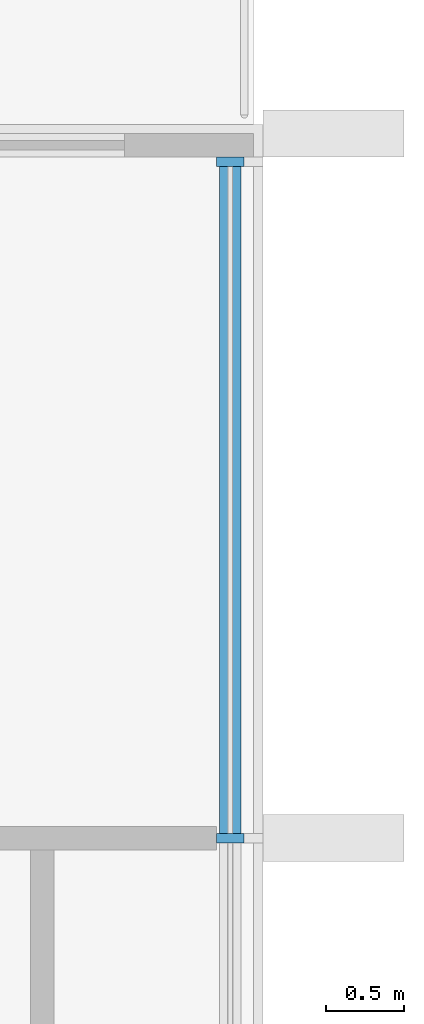
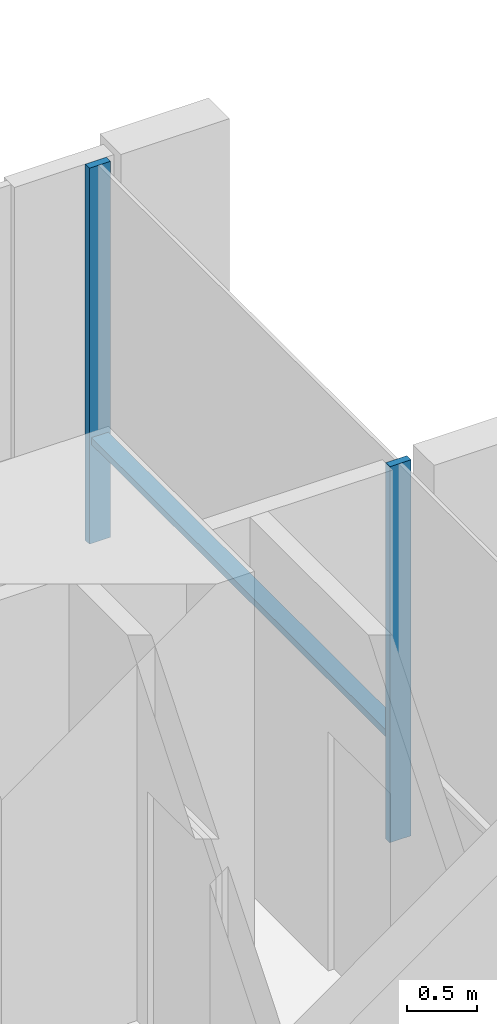
# One storey, part 5 of 17: 3 members, 1 element without a shape of its own.
"""IFC4 building model written with IfcOpenShell, lengths in metres."""

from ifc_helpers import new_model, si_unit, direction, frame, origin, origin_2d, place, context, subcontext, project, spatial, rectangle, extrude, material, material_profile, profile_set, type_object, element, aggregate, save


model = new_model("IFC4")

# Units and contexts
model_context = context("Model", 3, precision=1e-05, world=origin(), true_north=direction((0.0, 1.0)))
body_context = subcontext(model_context, "Body", "Model", "MODEL_VIEW")
ifc_project = project(units=[si_unit("LENGTHUNIT", "METRE"), si_unit("AREAUNIT", "SQUARE_METRE"), si_unit("VOLUMEUNIT", "CUBIC_METRE"), si_unit("PLANEANGLEUNIT", "RADIAN"), si_unit("MASSUNIT", "GRAM", prefix="KILO")], contexts=[model_context])

# Site, building, storey
site_placement = place(None, origin())
site = spatial("IfcSite", under=ifc_project, at=site_placement, CompositionType="ELEMENT")
building_placement = place(site_placement, origin())
building = spatial("IfcBuilding", under=site, at=building_placement, Name="Finial Court Residences", CompositionType="ELEMENT")
storey_placement = place(building_placement, frame((0.0, 0.0, 205.10009765625)))
storey = spatial("IfcBuildingStorey", under=building, at=storey_placement, Name="L51", CompositionType="ELEMENT", Elevation=205.10009765625)

# Curtain wall, members
ifc_material = material(Name="Bronze anodised aluminium", Category="aluminium")
curtain_wall_type = type_object("IfcCurtainWallType", Name="Unitised curtain wall, upper zones", PredefinedType="NOTDEFINED", material=ifc_material)
curtain_wall_placement = place(storey_placement, origin())
curtain_wall = element("IfcCurtainWall", 1, at=curtain_wall_placement, inside=storey, type_object=curtain_wall_type, Name="E-L51-CW-E5", PredefinedType="NOTDEFINED")
ifc_material_profile_1 = material_profile(ifc_material, rectangle(XDim=0.175048828125, YDim=0.06005859375, at=origin_2d()), Name="CW2 mullion 60 x 175")
ifc_profile_set_1 = profile_set([ifc_material_profile_1], Name="Bronze anodised aluminium")
member_type_1 = type_object("IfcMemberType", Name="CW2 mullion 60 x 175", PredefinedType="MULLION", material=ifc_profile_set_1)
member_1_placement = place(storey_placement, frame((19.35009765625, 7.5, 0.0), z_axis=(0.0, 0.0, 1.0), x_axis=(-1.0, 0.0, 0.0)))
member_1 = element("IfcMember", 2, at=member_1_placement, type_object=member_type_1, Name="CW2 mullion 2", PredefinedType="MULLION", context=body_context, shape_type="SweptSolid", body=[
    extrude(rectangle(XDim=0.175048828125, YDim=0.06005859375, at=origin_2d()), origin(), (0.0, 0.0, 1.0), 3.2998046875),
])
member_2_placement = place(storey_placement, frame((19.35009765625, 11.820068359375, 0.0), z_axis=(0.0, 0.0, 1.0), x_axis=(-1.0, 0.0, 0.0)))
member_2 = element("IfcMember", 3, at=member_2_placement, type_object=member_type_1, Name="CW2 mullion 3", PredefinedType="MULLION", context=body_context, shape_type="SweptSolid", body=[
    extrude(rectangle(XDim=0.175048828125, YDim=0.06005859375, at=origin_2d()), origin(), (0.0, 0.0, 1.0), 3.2998046875),
])
ifc_material_profile_2 = material_profile(ifc_material, rectangle(XDim=0.139892578125, YDim=0.06005859375, at=origin_2d()), Name="CW2 transom 60 x 140")
ifc_profile_set_2 = profile_set([ifc_material_profile_2], Name="Bronze anodised aluminium")
member_type_2 = type_object("IfcMemberType", Name="CW2 transom 60 x 140", PredefinedType="USERDEFINED", material=ifc_profile_set_2)
member_3_placement = place(storey_placement, frame((19.35009765625, 7.530029296875, 0.89990234375), z_axis=(0.0, 1.0, 0.0), x_axis=(-1.0, 0.0, 0.0)))
member_3 = element("IfcMember", 4, at=member_3_placement, type_object=member_type_2, Name="CW2 transom 2.1", ObjectType="TRANSOM", PredefinedType="USERDEFINED", context=body_context, shape_type="SweptSolid", body=[
    extrude(rectangle(XDim=0.139892578125, YDim=0.06005859375, at=origin_2d()), origin(), (0.0, 0.0, 1.0), 4.260009765625),
])
aggregate(curtain_wall, [member_1, member_2, member_3])

save(model, "model.ifc")
